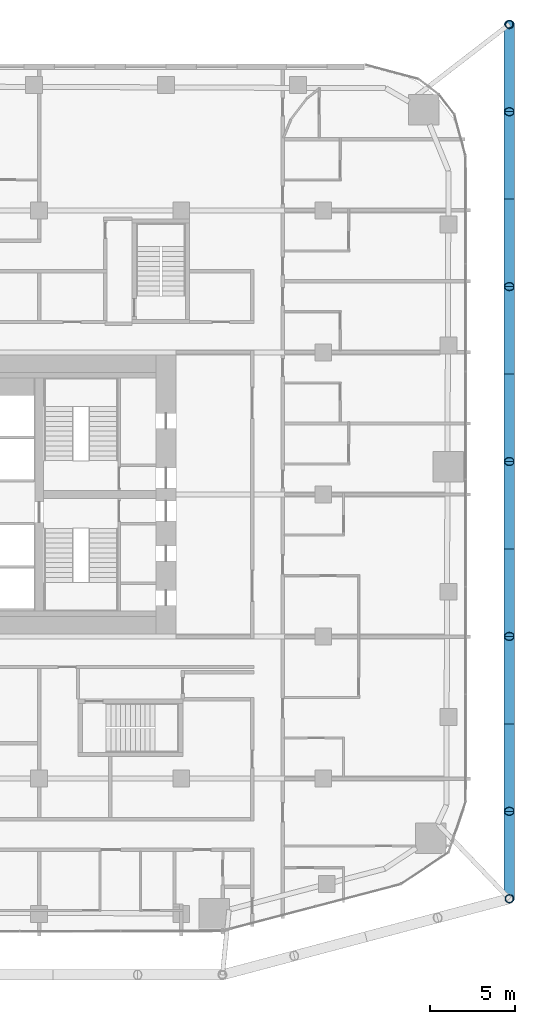
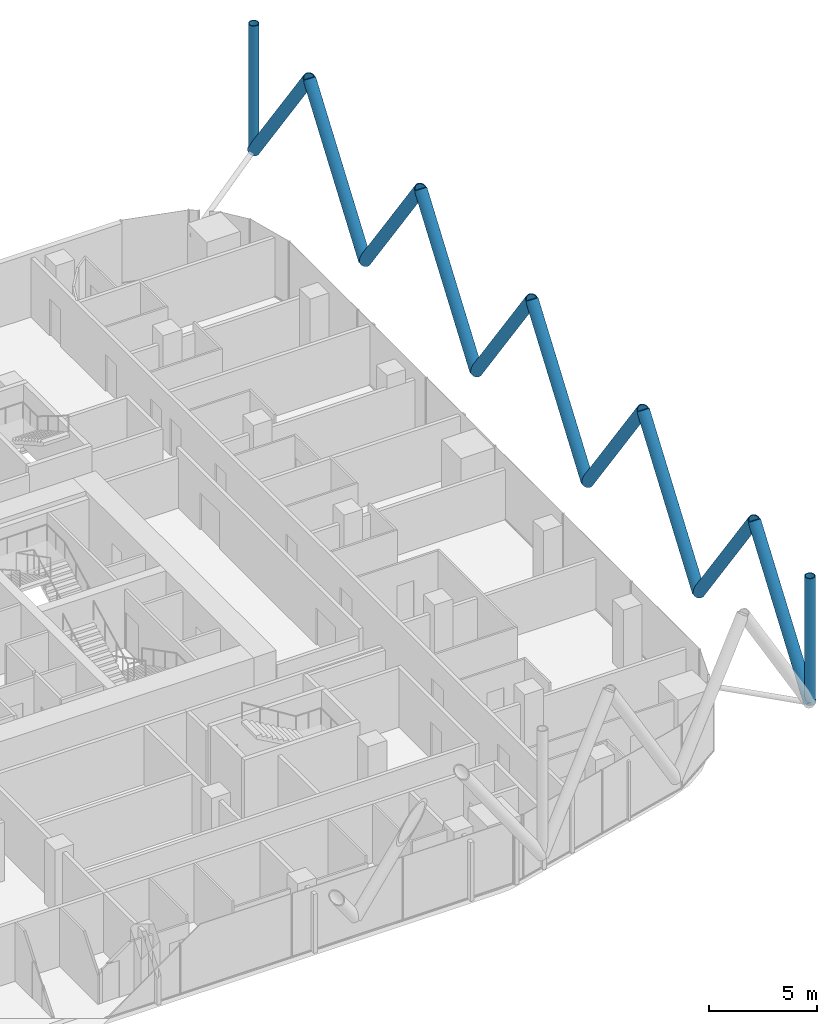
# One storey, part 15 of 34: 12 members.
"""IFC4 building model written with IfcOpenShell, lengths in metres."""

from ifc_helpers import new_model, si_unit, direction, frame, origin, origin_2d, place, context, subcontext, project, spatial, hollow_circle, extrude, material, material_profile, profile_set, type_object, element, save


model = new_model("IFC4")

# Units and contexts
model_context = context("Model", 3, precision=1e-05, world=origin(), true_north=direction((0.0, 1.0)))
body_context = subcontext(model_context, "Body", "Model", "MODEL_VIEW")
ifc_project = project(units=[si_unit("LENGTHUNIT", "METRE"), si_unit("AREAUNIT", "SQUARE_METRE"), si_unit("VOLUMEUNIT", "CUBIC_METRE"), si_unit("PLANEANGLEUNIT", "RADIAN"), si_unit("MASSUNIT", "GRAM", prefix="KILO")], contexts=[model_context])

# Site, building, storey
site_placement = place(None, origin())
site = spatial("IfcSite", under=ifc_project, at=site_placement, CompositionType="ELEMENT")
building_placement = place(site_placement, origin())
building = spatial("IfcBuilding", under=site, at=building_placement, Name="Marenta Gate Hotel Tower", CompositionType="ELEMENT")
storey_placement = place(building_placement, frame((0.0, 0.0, 47.300048828125)))
storey = spatial("IfcBuildingStorey", under=building, at=storey_placement, Name="L09", CompositionType="ELEMENT", Elevation=47.300048828125)

# Members
ifc_material_1 = material(Name="Steel S355J2W", Category="steel")
ifc_material_profile_1 = material_profile(ifc_material_1, hollow_circle(Radius=0.25390625, WallThickness=0.0400390625, at=origin_2d()), Name="CHS 508x40")
ifc_profile_set_1 = profile_set([ifc_material_profile_1], Name="Steel S355J2W")
member_type_1 = type_object("IfcMemberType", Name="Diagrid corner post Z1 CHS 508x40", PredefinedType="POST", material=ifc_profile_set_1)
for number, where, z_axis, x_axis, name in (
    (1, (32.0, 36.199951171875, 3.139892578125), (0.0, 0.0, 1.0), (1.0, 0.0, 0.0), "L09-DR-1"),
    (2, (32.0, -15.500244140625, 3.139892578125), (0.0, 0.0, 1.0), (1.0, 0.0, 0.0), "L09-DR-2"),
):
    element("IfcMember", number, at=place(storey_placement, frame(where, z_axis=z_axis, x_axis=x_axis)), inside=storey, type_object=member_type_1, Name=name, PredefinedType="POST", context=body_context, shape_type="SweptSolid", body=[
        extrude(hollow_circle(Radius=0.25390625, WallThickness=0.0400390625, at=origin_2d()), origin(), (0.0, 0.0, 1.0), 7.199951171875),
    ])
ifc_material_2 = material(Name="Steel S355J2W", Category="steel")
ifc_material_profile_2 = material_profile(ifc_material_2, hollow_circle(Radius=0.304931640625, WallThickness=0.0400390625, at=origin_2d()), Name="CHS 610x40")
ifc_profile_set_2 = profile_set([ifc_material_profile_2], Name="Steel S355J2W")
member_type_2 = type_object("IfcMemberType", Name="Diagrid diagonal Z1 CHS 610x40", PredefinedType="BRACE", material=ifc_profile_set_2)
for number, where, z_axis, x_axis, name in (
    (3, (32.0, 36.199951171875, 3.139892578125), (0.0, -0.583260841117, 0.812284919975), (1.0, 0.0, 0.0), "L09-DG-1"),
    (4, (32.0, 25.860107421875, 3.139892578125), (0.0, 0.583260841117, 0.812284919975), (-1.0, 0.0, 0.0), "L09-DG-2"),
):
    element("IfcMember", number, at=place(storey_placement, frame(where, z_axis=z_axis, x_axis=x_axis)), inside=storey, type_object=member_type_2, Name=name, PredefinedType="BRACE", context=body_context, shape_type="SweptSolid", body=[
        extrude(hollow_circle(Radius=0.304931640625, WallThickness=0.0400390625, at=origin_2d()), origin(), (0.0, 0.0, 1.0), 8.86376953125),
    ])
member_1_placement = place(storey_placement, frame((32.0, 25.860107421875, 3.139892578125), z_axis=(0.0, -0.583279014058, 0.812271870595), x_axis=(1.0, 0.0, 0.0)))
element("IfcMember", 5, at=member_1_placement, inside=storey, type_object=member_type_2, Name="L09-DG-3", PredefinedType="BRACE", context=body_context, shape_type="SweptSolid", body=[
    extrude(hollow_circle(Radius=0.304931640625, WallThickness=0.0400390625, at=origin_2d()), origin(), (0.0, 0.0, 1.0), 8.864013671875),
])
member_2_placement = place(storey_placement, frame((32.0, 15.52001953125, 3.139892578125), z_axis=(0.0, 0.583260841117, 0.812284919975), x_axis=(-1.0, 0.0, 0.0)))
element("IfcMember", 6, at=member_2_placement, inside=storey, type_object=member_type_2, Name="L09-DG-4", PredefinedType="BRACE", context=body_context, shape_type="SweptSolid", body=[
    extrude(hollow_circle(Radius=0.304931640625, WallThickness=0.0400390625, at=origin_2d()), origin(), (0.0, 0.0, 1.0), 8.86376953125),
])
member_3_placement = place(storey_placement, frame((32.0, 15.52001953125, 3.139892578125), z_axis=(0.0, -0.583279014058, 0.812271870595), x_axis=(1.0, 0.0, 0.0)))
element("IfcMember", 7, at=member_3_placement, inside=storey, type_object=member_type_2, Name="L09-DG-5", PredefinedType="BRACE", context=body_context, shape_type="SweptSolid", body=[
    extrude(hollow_circle(Radius=0.304931640625, WallThickness=0.0400390625, at=origin_2d()), origin(), (0.0, 0.0, 1.0), 8.864013671875),
])
for number, where, z_axis, x_axis, name in (
    (8, (32.0, 5.179931640625, 3.139892578125), (0.0, 0.583260841117, 0.812284919975), (-1.0, 0.0, 0.0), "L09-DG-6"),
    (9, (32.0, 5.179931640625, 3.139892578125), (0.0, -0.583260841117, 0.812284919975), (1.0, 0.0, 0.0), "L09-DG-7"),
):
    element("IfcMember", number, at=place(storey_placement, frame(where, z_axis=z_axis, x_axis=x_axis)), inside=storey, type_object=member_type_2, Name=name, PredefinedType="BRACE", context=body_context, shape_type="SweptSolid", body=[
        extrude(hollow_circle(Radius=0.304931640625, WallThickness=0.0400390625, at=origin_2d()), origin(), (0.0, 0.0, 1.0), 8.86376953125),
    ])
member_4_placement = place(storey_placement, frame((32.0, -5.16015625, 3.139892578125), z_axis=(0.0, 0.583279014058, 0.812271870595), x_axis=(-1.0, 0.0, 0.0)))
element("IfcMember", 10, at=member_4_placement, inside=storey, type_object=member_type_2, Name="L09-DG-8", PredefinedType="BRACE", context=body_context, shape_type="SweptSolid", body=[
    extrude(hollow_circle(Radius=0.304931640625, WallThickness=0.0400390625, at=origin_2d()), origin(), (0.0, 0.0, 1.0), 8.864013671875),
])
member_5_placement = place(storey_placement, frame((32.0, -5.16015625, 3.139892578125), z_axis=(0.0, -0.583260841117, 0.812284919975), x_axis=(1.0, 0.0, 0.0)))
element("IfcMember", 11, at=member_5_placement, inside=storey, type_object=member_type_2, Name="L09-DG-9", PredefinedType="BRACE", context=body_context, shape_type="SweptSolid", body=[
    extrude(hollow_circle(Radius=0.304931640625, WallThickness=0.0400390625, at=origin_2d()), origin(), (0.0, 0.0, 1.0), 8.86376953125),
])
member_6_placement = place(storey_placement, frame((32.0, -15.500244140625, 3.139892578125), z_axis=(0.0, 0.583279014058, 0.812271870595), x_axis=(-1.0, 0.0, 0.0)))
element("IfcMember", 12, at=member_6_placement, inside=storey, type_object=member_type_2, Name="L09-DG-10", PredefinedType="BRACE", context=body_context, shape_type="SweptSolid", body=[
    extrude(hollow_circle(Radius=0.304931640625, WallThickness=0.0400390625, at=origin_2d()), origin(), (0.0, 0.0, 1.0), 8.864013671875),
])

save(model, "model.ifc")
